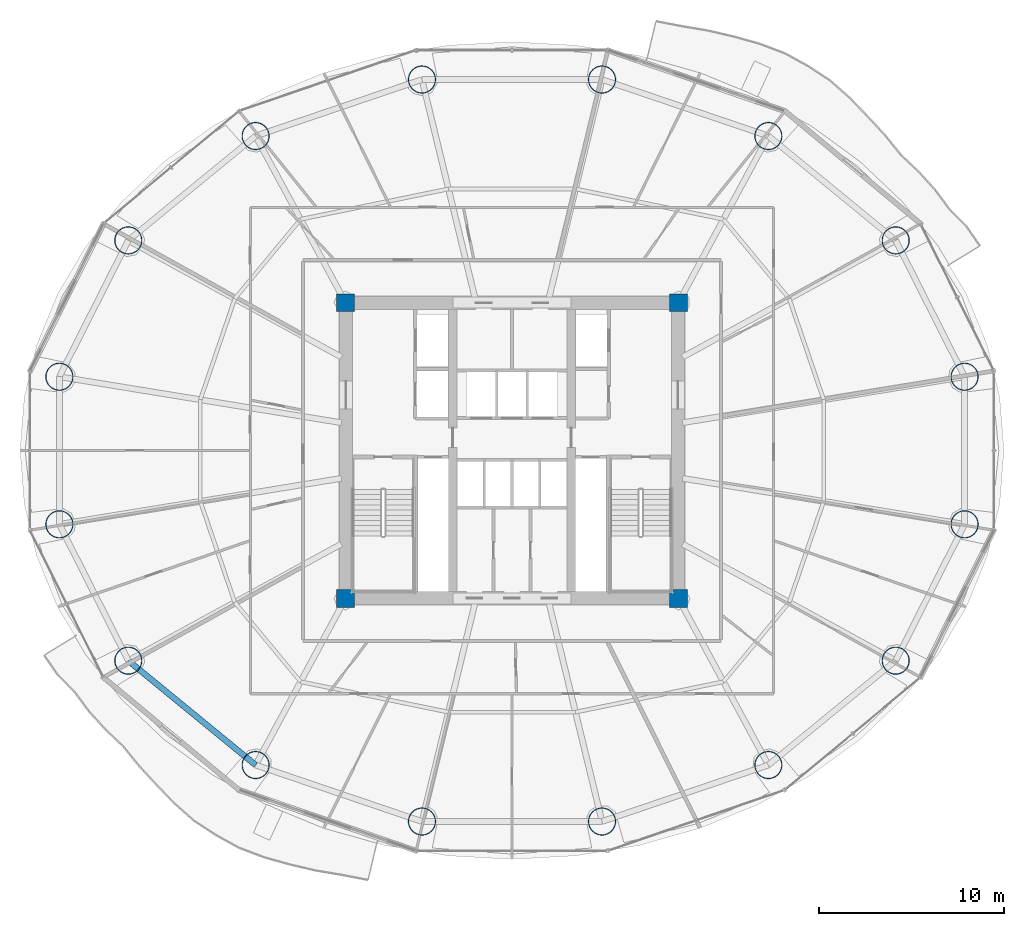
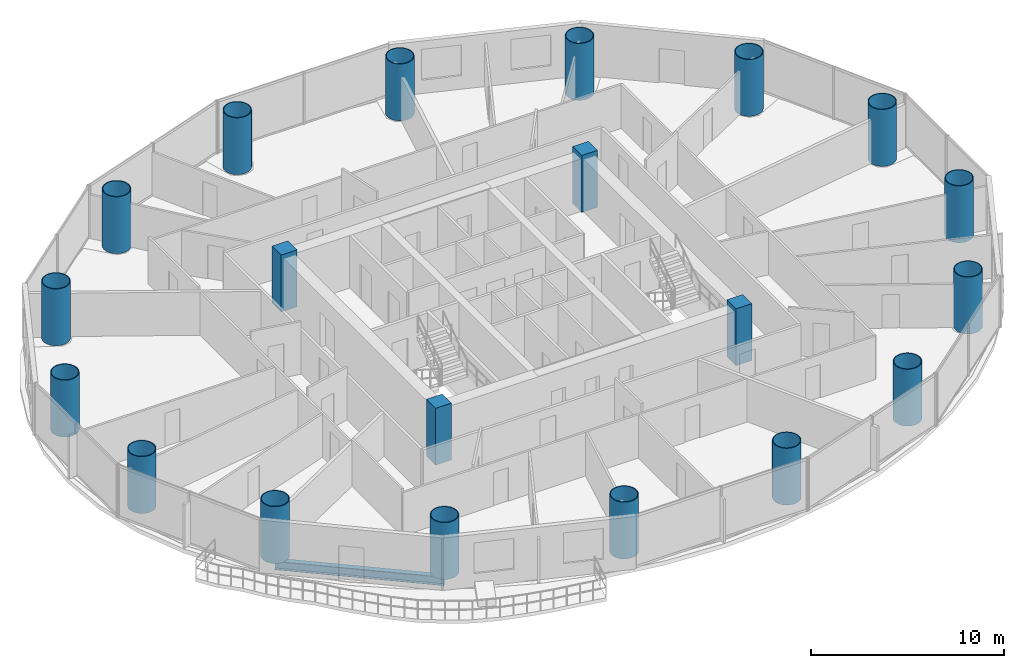
# One storey, part 1 of 28: 20 columns, 1 beam.
"""IFC4 building model written with IfcOpenShell, lengths in metres."""

from ifc_helpers import new_model, si_unit, direction, frame, origin, origin_2d, place, context, subcontext, project, spatial, rectangle, hollow_circle, i_section, extrude, material, material_profile, profile_set, type_object, element, save


model = new_model("IFC4")

# Units and contexts
model_context = context("Model", 3, precision=1e-05, world=origin(), true_north=direction((-0.2419218956, 0.970295726276)))
body_context = subcontext(model_context, "Body", "Model", "MODEL_VIEW")
ifc_project = project(units=[si_unit("LENGTHUNIT", "METRE"), si_unit("AREAUNIT", "SQUARE_METRE"), si_unit("VOLUMEUNIT", "CUBIC_METRE"), si_unit("PLANEANGLEUNIT", "RADIAN"), si_unit("MASSUNIT", "GRAM", prefix="KILO")], contexts=[model_context])

# Site, building, storey
site_placement = place(None, origin())
site = spatial("IfcSite", under=ifc_project, at=site_placement, CompositionType="ELEMENT")
building_placement = place(site_placement, origin())
building = spatial("IfcBuilding", under=site, at=building_placement, Name="Cobrevalo Terracotta Tower", CompositionType="ELEMENT")
storey_placement = place(building_placement, frame((0.0, 0.0, 108.60009765625)))
storey = spatial("IfcBuildingStorey", under=building, at=storey_placement, Name="L28", CompositionType="ELEMENT", Elevation=108.60009765625)

# Columns
ifc_material_1 = material(Name="Steel S355", Category="steel")
ifc_material_profile_1 = material_profile(ifc_material_1, hollow_circle(Radius=0.75, WallThickness=0.044921875, at=origin_2d()), Name="CHS 1500x45")
ifc_profile_set_1 = profile_set([ifc_material_profile_1], Name="Steel S355")
column_type_1 = type_object("IfcColumnType", Name="Structural Column CHS 1500x45 (Steel S355)", PredefinedType="COLUMN", material=ifc_profile_set_1)
for number, where, z_axis, x_axis, name in (
    (1, (62.470703125, 30.78955078125, 0.0), (0.0, 0.0, 1.0), (1.0, 0.0, 0.0), "L28 composite megacolumn MC01"),
    (2, (58.7451171875, 38.161376953125, 0.0), (0.0, 0.0, 1.0), (1.0, 0.0, 0.0), "L28 composite megacolumn MC02"),
    (3, (51.861572265625, 43.803466796875, 0.0), (0.0, 0.0, 1.0), (1.0, 0.0, 0.0), "L28 composite megacolumn MC03"),
    (4, (42.867431640625, 46.857177734375, 0.0), (0.0, 0.0, 1.0), (1.0, 0.0, 0.0), "L28 composite megacolumn MC04"),
    (5, (33.132568359375, 46.857177734375, 0.0), (0.0, 0.0, 1.0), (1.0, 0.0, 0.0), "L28 composite megacolumn MC05"),
    (6, (24.138427734375, 43.803466796875, 0.0), (0.0, 0.0, 1.0), (1.0, 0.0, 0.0), "L28 composite megacolumn MC06"),
    (7, (17.2548828125, 38.161376953125, 0.0), (0.0, 0.0, 1.0), (1.0, 0.0, 0.0), "L28 composite megacolumn MC07"),
    (8, (13.529296875, 30.78955078125, 0.0), (0.0, 0.0, 1.0), (1.0, 0.0, 0.0), "L28 composite megacolumn MC08"),
    (9, (13.529296875, 22.810302734375, 0.0), (0.0, 0.0, 1.0), (1.0, 0.0, 0.0), "L28 composite megacolumn MC09"),
    (10, (17.2548828125, 15.4384765625, 0.0), (0.0, 0.0, 1.0), (1.0, 0.0, 0.0), "L28 composite megacolumn MC10"),
    (11, (24.138427734375, 9.79638671875, 0.0), (0.0, 0.0, 1.0), (1.0, 0.0, 0.0), "L28 composite megacolumn MC11"),
    (12, (33.132568359375, 6.742919921875, 0.0), (0.0, 0.0, 1.0), (1.0, 0.0, 0.0), "L28 composite megacolumn MC12"),
    (13, (42.867431640625, 6.742919921875, 0.0), (0.0, 0.0, 1.0), (1.0, 0.0, 0.0), "L28 composite megacolumn MC13"),
    (14, (51.861572265625, 9.79638671875, 0.0), (0.0, 0.0, 1.0), (1.0, 0.0, 0.0), "L28 composite megacolumn MC14"),
    (15, (58.7451171875, 15.4384765625, 0.0), (0.0, 0.0, 1.0), (1.0, 0.0, 0.0), "L28 composite megacolumn MC15"),
    (16, (62.470703125, 22.810302734375, 0.0), (0.0, 0.0, 1.0), (1.0, 0.0, 0.0), "L28 composite megacolumn MC16"),
):
    element("IfcColumn", number, at=place(storey_placement, frame(where, z_axis=z_axis, x_axis=x_axis)), inside=storey, type_object=column_type_1, Name=name, PredefinedType="COLUMN", context=body_context, shape_type="SweptSolid", body=[
        extrude(hollow_circle(Radius=0.75, WallThickness=0.044921875, at=origin_2d()), origin(), (0.0, 0.0, 1.0), 3.599853515625),
    ])
ifc_material_2 = material(Name="Concrete C55", Category="concrete")
ifc_material_profile_2 = material_profile(ifc_material_2, rectangle(XDim=0.949951171875, YDim=0.949951171875, at=origin_2d()), Name="RC COL 950x950")
ifc_profile_set_2 = profile_set([ifc_material_profile_2], Name="Concrete C55")
column_type_2 = type_object("IfcColumnType", Name="Structural Column RC COL 950x950 (Concrete C55)", PredefinedType="COLUMN", material=ifc_profile_set_2)
for number, where, z_axis, x_axis, name in (
    (17, (29.0, 18.800048828125, 0.0), (0.0, 0.0, 1.0), (1.0, 0.0, 0.0), "L28 core corner column CC1"),
    (18, (47.0, 18.800048828125, 0.0), (0.0, 0.0, 1.0), (1.0, 0.0, 0.0), "L28 core corner column CC2"),
    (19, (47.0, 34.800048828125, 0.0), (0.0, 0.0, 1.0), (1.0, 0.0, 0.0), "L28 core corner column CC3"),
    (20, (29.0, 34.800048828125, 0.0), (0.0, 0.0, 1.0), (1.0, 0.0, 0.0), "L28 core corner column CC4"),
):
    element("IfcColumn", number, at=place(storey_placement, frame(where, z_axis=z_axis, x_axis=x_axis)), inside=storey, type_object=column_type_2, Name=name, PredefinedType="COLUMN", context=body_context, shape_type="SweptSolid", body=[
        extrude(rectangle(XDim=0.949951171875, YDim=0.949951171875, at=origin_2d()), origin(), (0.0, 0.0, 1.0), 3.599853515625),
    ])

# Beam
ifc_material_profile_3 = material_profile(ifc_material_1, i_section(OverallWidth=0.31201171875, OverallDepth=0.54296875, WebThickness=0.0126953125, FlangeThickness=0.020263671875, at=origin_2d()), Name="W 530x150")
ifc_profile_set_3 = profile_set([ifc_material_profile_3], Name="Steel S355")
beam_type = type_object("IfcBeamType", Name="Structural Spandrel W 530x150 (Steel S355)", PredefinedType="SPANDREL", material=ifc_profile_set_3)
beam_placement = place(storey_placement, frame((17.2548828125, 15.4384765625, -0.546630859375), z_axis=(0.773400923541, -0.633917196064, 0.0), x_axis=(0.633917196064, 0.773400923541, 0.0)))
element("IfcBeam", 21, at=beam_placement, inside=storey, type_object=beam_type, Name="L28 perimeter ring spandrel 10", PredefinedType="SPANDREL", context=body_context, shape_type="SweptSolid", body=[
    extrude(i_section(OverallWidth=0.31201171875, OverallDepth=0.54296875, WebThickness=0.0126953125, FlangeThickness=0.020263671875, at=origin_2d()), origin(), (0.0, 0.0, 1.0), 8.900390625),
])

save(model, "model.ifc")
